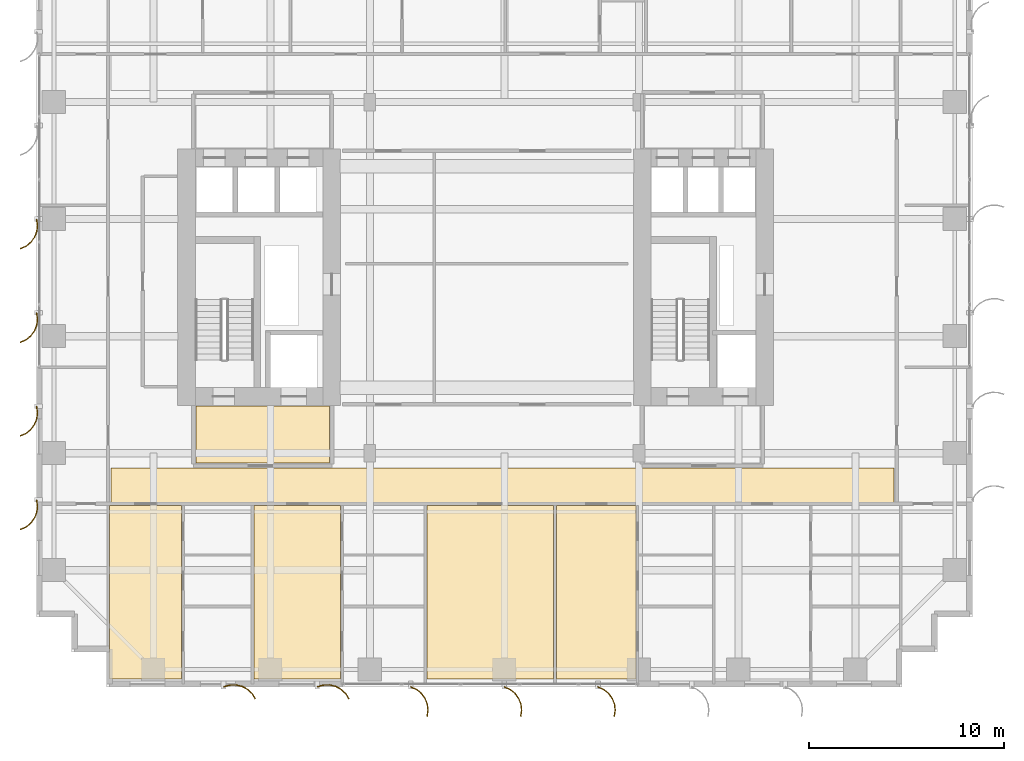
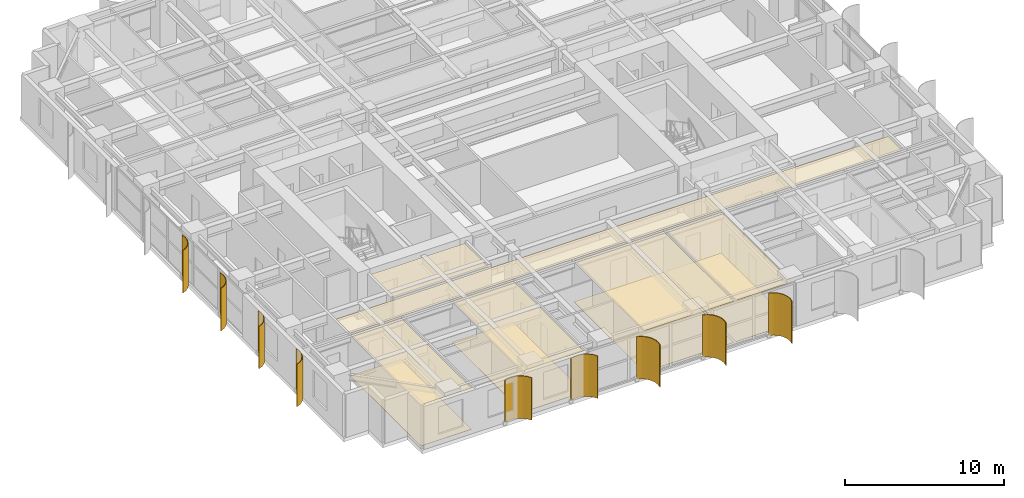
# One storey, part 20 of 23: 10 coverings, 9 shading devices.
"""IFC4 building model written with IfcOpenShell, lengths in metres."""

from ifc_helpers import new_model, si_unit, direction, frame, origin, place, context, subcontext, project, spatial, polyline, outline, extrude, source, transform, mapped, material, layer, layer_set, type_object, element, save


model = new_model("IFC4")

# Units and contexts
model_context = context("Model", 3, precision=1e-05, world=origin(), true_north=direction((0.0, 1.0)))
body_context = subcontext(model_context, "Body", "Model", "MODEL_VIEW")
ifc_project = project(units=[si_unit("LENGTHUNIT", "METRE"), si_unit("AREAUNIT", "SQUARE_METRE"), si_unit("VOLUMEUNIT", "CUBIC_METRE"), si_unit("PLANEANGLEUNIT", "RADIAN"), si_unit("MASSUNIT", "GRAM", prefix="KILO")], contexts=[model_context])

# Site, building, storey
site_placement = place(None, origin())
site = spatial("IfcSite", under=ifc_project, at=site_placement, CompositionType="ELEMENT")
building_placement = place(site_placement, origin())
building = spatial("IfcBuilding", under=site, at=building_placement, Name="Khoralis Quay Care Tower", CompositionType="ELEMENT")
storey_placement = place(building_placement, frame((0.0, 0.0, 36.89990234375)))
storey = spatial("IfcBuildingStorey", under=building, at=storey_placement, Name="L09", CompositionType="ELEMENT", Elevation=36.89990234375)

# Coverings
ifc_material_1 = material(Name="Mineral-fibre acoustic ceiling tile")
ifc_layer_1 = layer(ifc_material_1, 0.01806640625)
ifc_layer_set_1 = layer_set([ifc_layer_1], Name="Mineral-fibre acoustic ceiling tile")
covering_type_1 = type_object("IfcCoveringType", Name="COV-CEIL-AC18", PredefinedType="CEILING", material=ifc_layer_set_1)
covering_1_placement = place(storey_placement, frame((0.0, 0.0, 3.172119140625)))
element("IfcCovering", 1, at=covering_1_placement, inside=storey, type_object=covering_type_1, Name="Suspended Acoustic Ceiling SP-L09-FFLOB-W", PredefinedType="CEILING", context=body_context, shape_type="SweptSolid", body=[
    extrude(outline(polyline([(8.179931640625, 11.47998046875), (15.02001953125, 11.47998046875), (15.02001953125, 14.39990234375), (8.179931640625, 14.39990234375), (8.179931640625, 11.47998046875)])), origin(), (0.0, 0.0, 1.0), 0.01806640625),
])
covering_2_placement = place(storey_placement, frame((0.0, 0.0, 3.172119140625)))
element("IfcCovering", 2, at=covering_2_placement, inside=storey, type_object=covering_type_1, Name="Suspended Acoustic Ceiling SP-L09-CORR-S", PredefinedType="CEILING", context=body_context, shape_type="SweptSolid", body=[
    extrude(outline(polyline([(3.820068359375, 9.43994140625), (43.97998046875, 9.43994140625), (43.97998046875, 11.239990234375), (3.820068359375, 11.239990234375), (3.820068359375, 9.43994140625)])), origin(), (0.0, 0.0, 1.0), 0.01806640625),
])
covering_3_placement = place(storey_placement, frame((0.0, 0.0, 3.172119140625)))
element("IfcCovering", 3, at=covering_3_placement, inside=storey, type_object=covering_type_1, Name="Suspended Acoustic Ceiling SP-L09-SB-LIV0", PredefinedType="CEILING", context=body_context, shape_type="SweptSolid", body=[
    extrude(outline(polyline([(3.760009765625, 0.419921875), (7.447998046875, 0.419921875), (7.447998046875, 9.320068359375), (3.760009765625, 9.320068359375), (3.760009765625, 0.419921875)])), origin(), (0.0, 0.0, 1.0), 0.01806640625),
])
covering_4_placement = place(storey_placement, frame((0.0, 0.0, 3.172119140625)))
element("IfcCovering", 4, at=covering_4_placement, inside=storey, type_object=covering_type_1, Name="Suspended Acoustic Ceiling SP-L09-SB-LIV1", PredefinedType="CEILING", context=body_context, shape_type="SweptSolid", body=[
    extrude(outline(polyline([(11.159912109375, 0.419921875), (15.60693359375, 0.419921875), (15.60693359375, 9.320068359375), (11.159912109375, 9.320068359375), (11.159912109375, 0.419921875)])), origin(), (0.0, 0.0, 1.0), 0.01806640625),
])
covering_5_placement = place(storey_placement, frame((0.0, 0.0, 3.172119140625)))
element("IfcCovering", 5, at=covering_5_placement, inside=storey, type_object=covering_type_1, Name="Suspended Acoustic Ceiling SP-L09-SB-COM2", PredefinedType="CEILING", context=body_context, shape_type="SweptSolid", body=[
    extrude(outline(polyline([(20.02001953125, 0.419921875), (26.52001953125, 0.419921875), (26.52001953125, 9.320068359375), (20.02001953125, 9.320068359375), (20.02001953125, 0.419921875)])), origin(), (0.0, 0.0, 1.0), 0.01806640625),
])
covering_6_placement = place(storey_placement, frame((0.0, 0.0, 3.172119140625)))
element("IfcCovering", 6, at=covering_6_placement, inside=storey, type_object=covering_type_1, Name="Suspended Acoustic Ceiling SP-L09-SB-LIV3", PredefinedType="CEILING", context=body_context, shape_type="SweptSolid", body=[
    extrude(outline(polyline([(26.679931640625, 0.419921875), (30.748046875, 0.419921875), (30.748046875, 9.320068359375), (26.679931640625, 9.320068359375), (26.679931640625, 0.419921875)])), origin(), (0.0, 0.0, 1.0), 0.01806640625),
])
ifc_material_2 = material(Name="Porcelain and non-slip vinyl flooring")
ifc_layer_2 = layer(ifc_material_2, 0.02001953125)
ifc_layer_set_2 = layer_set([ifc_layer_2], Name="Porcelain and non-slip vinyl flooring")
covering_type_2 = type_object("IfcCoveringType", Name="COV-FLOOR-20", PredefinedType="FLOORING", material=ifc_layer_set_2)
covering_7_placement = place(storey_placement, origin())
element("IfcCovering", 7, at=covering_7_placement, inside=storey, type_object=covering_type_2, Name="Resilient Healthcare Flooring SP-L09-SB-LIV0", PredefinedType="FLOORING", context=body_context, shape_type="SweptSolid", body=[
    extrude(outline(polyline([(3.760009765625, 0.419921875), (7.447998046875, 0.419921875), (7.447998046875, 9.320068359375), (3.760009765625, 9.320068359375), (3.760009765625, 0.419921875)])), origin(), (0.0, 0.0, 1.0), 0.02001953125),
])
covering_8_placement = place(storey_placement, origin())
element("IfcCovering", 8, at=covering_8_placement, inside=storey, type_object=covering_type_2, Name="Resilient Healthcare Flooring SP-L09-SB-LIV1", PredefinedType="FLOORING", context=body_context, shape_type="SweptSolid", body=[
    extrude(outline(polyline([(11.159912109375, 0.419921875), (15.60693359375, 0.419921875), (15.60693359375, 9.320068359375), (11.159912109375, 9.320068359375), (11.159912109375, 0.419921875)])), origin(), (0.0, 0.0, 1.0), 0.02001953125),
])
covering_9_placement = place(storey_placement, origin())
element("IfcCovering", 9, at=covering_9_placement, inside=storey, type_object=covering_type_2, Name="Resilient Healthcare Flooring SP-L09-SB-COM2", PredefinedType="FLOORING", context=body_context, shape_type="SweptSolid", body=[
    extrude(outline(polyline([(20.02001953125, 0.419921875), (26.52001953125, 0.419921875), (26.52001953125, 9.320068359375), (20.02001953125, 9.320068359375), (20.02001953125, 0.419921875)])), origin(), (0.0, 0.0, 1.0), 0.02001953125),
])
covering_10_placement = place(storey_placement, origin())
element("IfcCovering", 10, at=covering_10_placement, inside=storey, type_object=covering_type_2, Name="Resilient Healthcare Flooring SP-L09-SB-LIV3", PredefinedType="FLOORING", context=body_context, shape_type="SweptSolid", body=[
    extrude(outline(polyline([(26.679931640625, 0.419921875), (30.748046875, 0.419921875), (30.748046875, 9.320068359375), (26.679931640625, 9.320068359375), (26.679931640625, 0.419921875)])), origin(), (0.0, 0.0, 1.0), 0.02001953125),
])

# Shading devices
ifc_material_3 = material(Name="Brushed pale anodised aluminium", Category="aluminium")
ifc_layer_3 = layer(ifc_material_3, 0.044921875)
ifc_layer_set_3 = layer_set([ifc_layer_3], Name="Brushed pale anodised aluminium")
shading_device_type = type_object("IfcShadingDeviceType", Name="SHD-FIN-1250", PredefinedType="USERDEFINED", material=ifc_layer_set_3)
shared_shape_1 = source(origin(), body_context, "Body", "SweptSolid", [
    extrude(outline(polyline([(0.0, 0.0), (0.130126953125, 0.29931640625), (0.333251953125, 0.5546875), (0.595458984375, 0.748779296875), (0.899169921875, 0.868408203125), (1.223388671875, 0.9052734375), (1.546142578125, 0.85693359375), (1.53369140625, 0.813720703125), (1.22265625, 0.8603515625), (0.91015625, 0.82470703125), (0.617431640625, 0.70947265625), (0.364501953125, 0.522216796875), (0.168701171875, 0.276123046875), (0.043212890625, -0.012451171875), (0.0, 0.0)])), origin(), (0.0, 0.0, 1.0), 3.260009765625),
])
for number, where, z_axis, x_axis, name in (
    (11, (19.199951171875, 0.030029296875, 0.02001953125), (0.0, 0.0, 1.0), (0.0, -1.0, 0.0), "L09 Curved Solar Fin P1E0-03"),
    (12, (24.0, 0.030029296875, 0.02001953125), (0.0, 0.0, 1.0), (0.0, -1.0, 0.0), "L09 Curved Solar Fin P1E0-04"),
    (13, (28.800048828125, 0.030029296875, 0.02001953125), (0.0, 0.0, 1.0), (0.0, -1.0, 0.0), "L09 Curved Solar Fin P1E0-05"),
):
    element("IfcShadingDevice", number, at=place(storey_placement, frame(where, z_axis=z_axis, x_axis=x_axis)), inside=storey, type_object=shading_device_type, Name=name, ObjectType="FIN", PredefinedType="USERDEFINED", context=body_context, shape_type="MappedRepresentation", body=[
        mapped(shared_shape_1, transform((0.0, 0.0, 0.0), scale=1.0)),
    ])
shared_shape_2 = source(origin(), body_context, "Body", "SweptSolid", [
    extrude(outline(polyline([(0.0, 0.0), (-0.04833984375, 0.32275390625), (-0.01123046875, 0.64697265625), (0.1083984375, 0.950439453125), (0.302490234375, 1.212890625), (0.557861328125, 1.416015625), (0.85693359375, 1.546142578125), (0.869384765625, 1.5029296875), (0.5810546875, 1.37744140625), (0.334716796875, 1.181640625), (0.147705078125, 0.9287109375), (0.032470703125, 0.635986328125), (-0.003173828125, 0.323486328125), (0.043212890625, 0.012451171875), (0.0, 0.0)])), origin(), (0.0, 0.0, 1.0), 3.260009765625),
])
for number, where, z_axis, x_axis, name in (
    (14, (0.030029296875, 24.0, 0.02001953125), (0.0, 0.0, 1.0), (-1.0, 0.0, 0.0), "L09 Curved Solar Fin P1E15-04"),
    (15, (0.030029296875, 19.199951171875, 0.02001953125), (0.0, 0.0, 1.0), (-1.0, 0.0, 0.0), "L09 Curved Solar Fin P1E15-05"),
    (16, (0.030029296875, 14.39990234375, 0.02001953125), (0.0, 0.0, 1.0), (-1.0, 0.0, 0.0), "L09 Curved Solar Fin P1E15-06"),
    (17, (0.030029296875, 9.60009765625, 0.02001953125), (0.0, 0.0, 1.0), (-1.0, 0.0, 0.0), "L09 Curved Solar Fin P1E15-07"),
):
    element("IfcShadingDevice", number, at=place(storey_placement, frame(where, z_axis=z_axis, x_axis=x_axis)), inside=storey, type_object=shading_device_type, Name=name, ObjectType="FIN", PredefinedType="USERDEFINED", context=body_context, shape_type="MappedRepresentation", body=[
        mapped(shared_shape_2, transform((0.0, 0.0, 0.0), scale=1.0)),
    ])
shared_shape_3 = source(origin(), body_context, "Body", "SweptSolid", [
    extrude(outline(polyline([(0.0, 0.0), (-0.0927734375, 0.31298828125), (-0.101318359375, 0.63916015625), (-0.025146484375, 0.956298828125), (0.130615234375, 1.2431640625), (0.355224609375, 1.479736328125), (0.633544921875, 1.650390625), (0.65185546875, 1.609130859375), (0.383544921875, 1.44482421875), (0.1669921875, 1.216796875), (0.01708984375, 0.940185546875), (-0.056396484375, 0.63427734375), (-0.04833984375, 0.31982421875), (0.041015625, 0.018310546875), (0.0, 0.0)])), origin(), (0.0, 0.0, 1.0), 3.260009765625),
])
for number, where, z_axis, x_axis, name in (
    (18, (9.60009765625, 0.030029296875, 0.02001953125), (0.0, 0.0, 1.0), (0.0, -1.0, 0.0), "L09 Curved Solar Fin P1E0-01"),
    (19, (14.39990234375, 0.030029296875, 0.02001953125), (0.0, 0.0, 1.0), (0.0, -1.0, 0.0), "L09 Curved Solar Fin P1E0-02"),
):
    element("IfcShadingDevice", number, at=place(storey_placement, frame(where, z_axis=z_axis, x_axis=x_axis)), inside=storey, type_object=shading_device_type, Name=name, ObjectType="FIN", PredefinedType="USERDEFINED", context=body_context, shape_type="MappedRepresentation", body=[
        mapped(shared_shape_3, transform((0.0, 0.0, 0.0), scale=1.0)),
    ])

save(model, "model.ifc")
